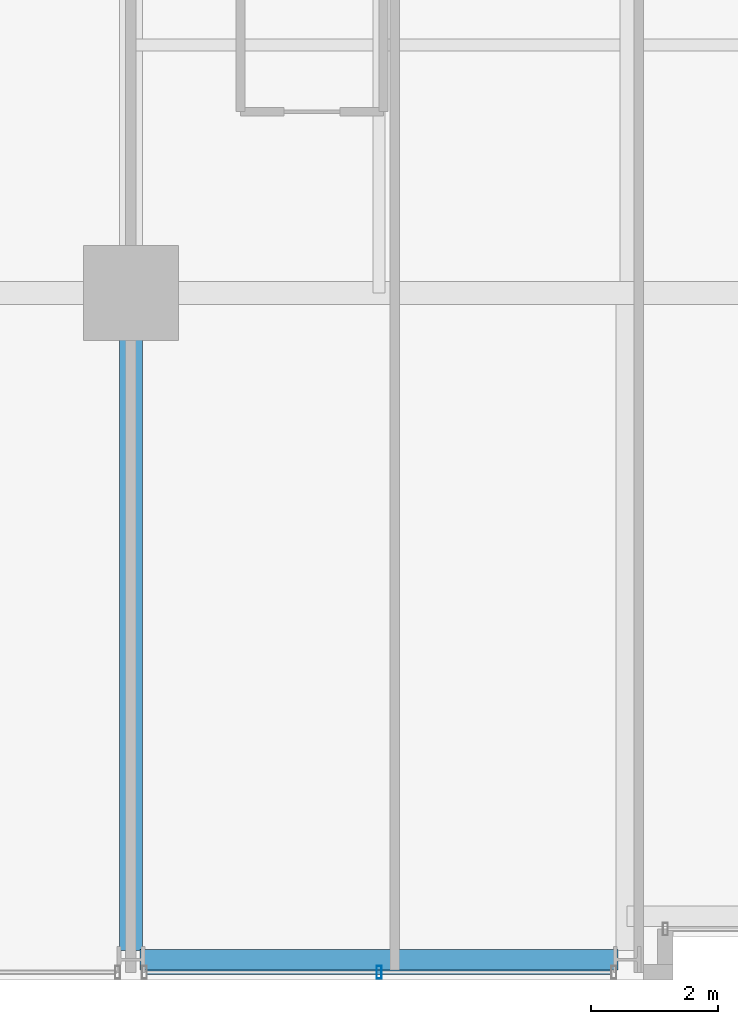
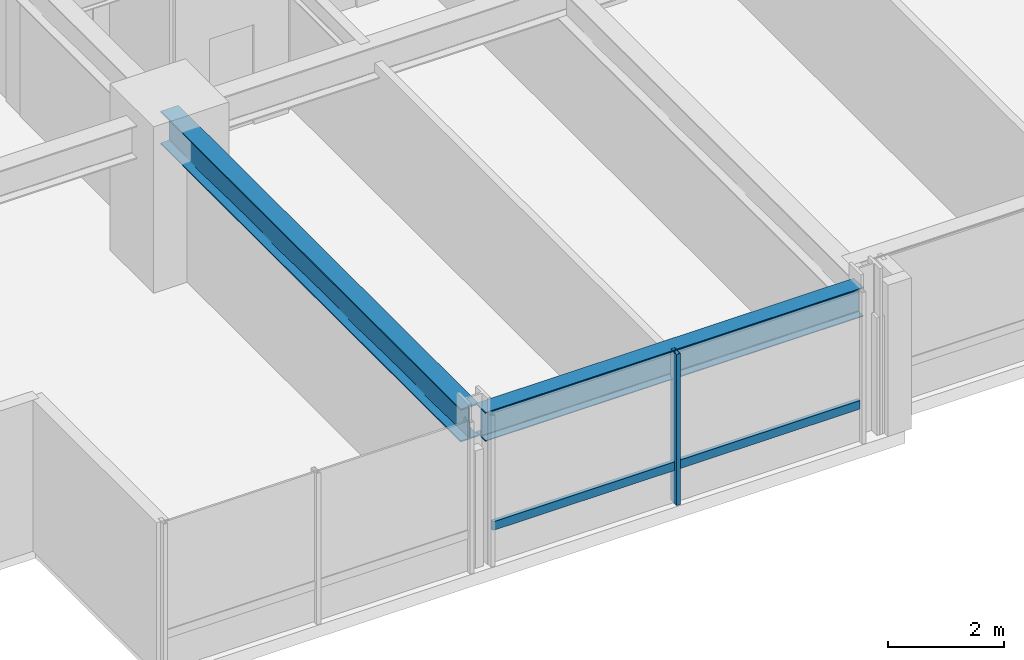
# One storey, part 3 of 35: 2 beams, 2 members, 1 element without a shape of its own.
"""IFC4 building model written with IfcOpenShell, lengths in metres."""

import ifcopenshell
import ifcopenshell.guid

model = None  # the IFC model being written
_history = None  # IfcOwnerHistory: only IFC2X3 demands one
_inside = {}  # id of a spatial element -> (the spatial element, [elements in it])
_under = {}  # id of a project, library or spatial element -> (it, [spatial elements below it])
_declared = {}  # id of a project -> (the project, [libraries it declares])
_typed = {}  # id of a type object -> (the type object, [elements of that type])
_made_of = {}  # id of a material, layer set ... -> (it, [elements and type objects made of it])


def new_model(schema):
    """Start an empty IFC model of exactly this schema.

    Asked for "IFC4X3", IfcOpenShell would pick the latest addendum, in which some entities
    have other attributes; the version numbers below select the first issue.
    IFC2X3 requires an IfcOwnerHistory on every rooted entity: one is made here for all.
    """
    global model, _history
    if schema == "IFC4X3":
        model = ifcopenshell.file(schema_version=(4, 3, 0, 0))
    else:
        model = ifcopenshell.file(schema=schema)
    _inside.clear()
    _under.clear()
    _declared.clear()
    _typed.clear()
    _made_of.clear()
    _history = None
    if model.schema == "IFC2X3":
        org = make("IfcOrganization", Name="unknown")
        user = make(
            "IfcPersonAndOrganization",
            ThePerson=make("IfcPerson", FamilyName="unknown"),
            TheOrganization=org,
        )
        app = make(
            "IfcApplication",
            ApplicationDeveloper=org,
            Version="unknown",
            ApplicationFullName="unknown",
            ApplicationIdentifier="unknown",
        )
        _history = make(
            "IfcOwnerHistory",
            OwningUser=user,
            OwningApplication=app,
            ChangeAction="ADDED",
            CreationDate=0,
        )
    return model


def make(cls, **values):
    """One entity of the class cls with the attributes given. An attribute that is None is left unset."""
    return model.create_entity(
        cls, **{name: value for name, value in values.items() if value is not None}
    )


def rooted(cls, **values):
    """An entity with a GlobalId (a new one), such as an element, a storey or a relation."""
    return make(cls, GlobalId=ifcopenshell.guid.new(), OwnerHistory=_history, **values)


def si_unit(unit_type, name, prefix=None):
    """IfcSIUnit, for example si_unit("LENGTHUNIT", "METRE", prefix="MILLI")."""
    return make("IfcSIUnit", UnitType=unit_type, Prefix=prefix, Name=name)


def assignment(units):
    """IfcUnitAssignment: the units of a project."""
    return None if units is None else make("IfcUnitAssignment", Units=units)


def point(xyz):
    """IfcCartesianPoint."""
    return None if xyz is None else make("IfcCartesianPoint", Coordinates=xyz)


def direction(xyz):
    """IfcDirection."""
    return None if xyz is None else make("IfcDirection", DirectionRatios=xyz)


def frame(location, z_axis=None, x_axis=None):
    """IfcAxis2Placement3D, a coordinate frame: its origin and axes. An axis left out is left unset."""
    return make(
        "IfcAxis2Placement3D",
        Location=point(location),
        Axis=direction(z_axis),
        RefDirection=direction(x_axis),
    )


def frame_2d(location, x_axis=None):
    """IfcAxis2Placement2D, a coordinate frame in the plane: its origin and x axis."""
    return make(
        "IfcAxis2Placement2D", Location=point(location), RefDirection=direction(x_axis)
    )


def origin():
    """The frame at (0, 0, 0) with its axes left unset."""
    return frame((0.0, 0.0, 0.0))


def origin_2d():
    """The frame at (0, 0) in the plane with its x axis left unset."""
    return frame_2d((0.0, 0.0))


def place(relative_to, where):
    """IfcLocalPlacement: puts the frame where relative to a parent placement (None: the world)."""
    return make(
        "IfcLocalPlacement", PlacementRelTo=relative_to, RelativePlacement=where
    )


def context(
    kind, dimensions, precision=None, world=None, true_north=None, identifier=None
):
    """IfcGeometricRepresentationContext, for example the 3D "Model" context."""
    return make(
        "IfcGeometricRepresentationContext",
        ContextIdentifier=identifier,
        ContextType=kind,
        CoordinateSpaceDimension=dimensions,
        Precision=precision,
        WorldCoordinateSystem=world,
        TrueNorth=true_north,
    )


def subcontext(parent, identifier, kind, view, scale=None):
    """IfcGeometricRepresentationSubContext, for example "Body" below "Model"."""
    return make(
        "IfcGeometricRepresentationSubContext",
        ContextIdentifier=identifier,
        ContextType=kind,
        ParentContext=parent,
        TargetScale=scale,
        TargetView=view,
    )


def project(units=None, contexts=None):
    """IfcProject with its units and contexts."""
    return rooted(
        "IfcProject",
        Name="project",
        RepresentationContexts=contexts,
        UnitsInContext=assignment(units),
    )


def spatial(cls, under=None, at=None, **own):
    """A site, building, storey or space (cls), placed at a placement, below another one or the project."""
    s = rooted(cls, ObjectPlacement=at, **own)
    if under is not None:
        _under.setdefault(under.id(), (under, []))[1].append(s)
    return s


def profile(cls, at=None, kind="AREA", **sizes):
    """A parametric profile (cls). Its sizes go by their IFC names, for example OverallWidth=200.0."""
    return make(cls, ProfileType=kind, Position=at, **sizes)


def hollow_rectangle(**sizes):
    """IfcRectangleHollowProfileDef."""
    return profile("IfcRectangleHollowProfileDef", **sizes)


def i_section(**sizes):
    """IfcIShapeProfileDef."""
    return profile("IfcIShapeProfileDef", **sizes)


def extrude(swept, where, along, depth):
    """IfcExtrudedAreaSolid: the profile swept, set in the frame where, extruded along a direction by depth."""
    return make(
        "IfcExtrudedAreaSolid",
        SweptArea=swept,
        Position=where,
        ExtrudedDirection=direction(along),
        Depth=depth,
    )


def shape(context_of_items, identifier, shape_type, items):
    """IfcShapeRepresentation: the items that make up one representation, for example the "Body"."""
    return make(
        "IfcShapeRepresentation",
        ContextOfItems=context_of_items,
        RepresentationIdentifier=identifier,
        RepresentationType=shape_type,
        Items=items,
    )


def material(Name=None, Category=None):
    """IfcMaterial."""
    return make("IfcMaterial", Name=Name, Category=Category)


def layer(
    of_material, thickness, ventilated=None, Name=None, Category=None, Priority=None
):
    """IfcMaterialLayer: one layer of a wall or slab, of a material (None: an air gap)."""
    return make(
        "IfcMaterialLayer",
        Material=of_material,
        LayerThickness=thickness,
        IsVentilated=ventilated,
        Name=Name,
        Category=Category,
        Priority=Priority,
    )


def layer_set(layers, Name=None):
    """IfcMaterialLayerSet."""
    return make("IfcMaterialLayerSet", MaterialLayers=layers, LayerSetName=Name)


def material_profile(
    of_material, cross_section, Name=None, Category=None, Priority=None
):
    """IfcMaterialProfile: a cross section and its material."""
    return make(
        "IfcMaterialProfile",
        Name=Name,
        Material=of_material,
        Profile=cross_section,
        Priority=Priority,
        Category=Category,
    )


def profile_set(profiles, Name=None, composite=None):
    """IfcMaterialProfileSet."""
    return make(
        "IfcMaterialProfileSet",
        Name=Name,
        MaterialProfiles=profiles,
        CompositeProfile=composite,
    )


def made_of(thing, what):
    """Note that an element or type object is made of a material, layer set ...; save() writes the relation."""
    if what is not None:
        _made_of.setdefault(what.id(), (what, []))[1].append(thing)
    return thing


def type_object(cls, material=None, **own):
    """A type object (cls), such as IfcWallType, which elements share."""
    return made_of(rooted(cls, **own), material)


def element(
    cls,
    number,
    at=None,
    inside=None,
    cuts=None,
    type_object=None,
    material=None,
    context=None,
    identifier="Body",
    shape_type=None,
    held_by="IfcProductDefinitionShape",
    body=None,
    shapes=None,
    **own,
):
    """One element of the class cls, such as IfcWall. Its Tag is "e" and its number.

    at: its placement. inside: the storey or other place that contains it. cuts: it is an
    opening in that element (IfcRelVoidsElement). A single representation is given by context,
    identifier, shape_type and body (its items); several are given by shapes. held_by: the class
    of the entity that holds the representations. save() writes the other relations.
    """
    e = rooted(cls, Tag="e%d" % number, ObjectPlacement=at, **own)
    if body is not None:
        shapes = [shape(context, identifier, shape_type, body)]
    if shapes is not None:
        e.Representation = make(held_by, Representations=shapes)
    if inside is not None:
        _inside.setdefault(inside.id(), (inside, []))[1].append(e)
    if cuts is not None:
        rooted(
            "IfcRelVoidsElement", RelatingBuildingElement=cuts, RelatedOpeningElement=e
        )
    if type_object is not None:
        _typed.setdefault(type_object.id(), (type_object, []))[1].append(e)
    return made_of(e, material)


def aggregate(whole, parts):
    """IfcRelAggregates: a whole, such as a stair, and the parts it consists of."""
    return rooted("IfcRelAggregates", RelatingObject=whole, RelatedObjects=parts)


def save(model, path):
    """Write the relations noted so far, then the file.

    IfcRelAggregates (storeys below a building ...), IfcRelContainedInSpatialStructure (elements
    in a storey), IfcRelDefinesByType, IfcRelAssociatesMaterial and IfcRelDeclares: one each for
    every whole, place, type object, material and project.
    """
    for whole, parts in _under.values():
        aggregate(whole, parts)
    for where, things in _inside.values():
        rooted(
            "IfcRelContainedInSpatialStructure",
            RelatedElements=things,
            RelatingStructure=where,
        )
    for kind, things in _typed.values():
        rooted("IfcRelDefinesByType", RelatedObjects=things, RelatingType=kind)
    for what, things in _made_of.values():
        rooted("IfcRelAssociatesMaterial", RelatedObjects=things, RelatingMaterial=what)
    for by, libraries in _declared.values():
        rooted("IfcRelDeclares", RelatingContext=by, RelatedDefinitions=libraries)
    model.write(path)


model = new_model("IFC4")

# Units and contexts
model_context = context("Model", 3, precision=1e-05, world=origin(), true_north=direction((0.0, 1.0)))
body_context = subcontext(model_context, "Body", "Model", "MODEL_VIEW")
ifc_project = project(units=[si_unit("LENGTHUNIT", "METRE"), si_unit("AREAUNIT", "SQUARE_METRE"), si_unit("VOLUMEUNIT", "CUBIC_METRE"), si_unit("PLANEANGLEUNIT", "RADIAN"), si_unit("MASSUNIT", "GRAM", prefix="KILO")], contexts=[model_context])

# Site, building, storey
site_placement = place(None, origin())
site = spatial("IfcSite", under=ifc_project, at=site_placement, CompositionType="ELEMENT")
building_placement = place(site_placement, origin())
building = spatial("IfcBuilding", under=site, at=building_placement, Name="Drelvath Grand Hotel", CompositionType="ELEMENT")
storey_placement = place(building_placement, frame((0.0, 0.0, 137.300048828125)))
storey = spatial("IfcBuildingStorey", under=building, at=storey_placement, Name="L35", CompositionType="ELEMENT", Elevation=137.300048828125)

# Curtain wall, members
ifc_material_1 = material(Name="Champagne Bronze Anodised Aluminium Frame", Category="aluminium")
ifc_layer = layer(ifc_material_1, 0.199951171875)
ifc_layer_set = layer_set([ifc_layer], Name="Champagne Bronze Anodised Aluminium Frame")
curtain_wall_type = type_object("IfcCurtainWallType", Name="Stick Curtain Wall CW-03 Champagne Bronze Mid-Rise", PredefinedType="NOTDEFINED", material=ifc_layer_set)
curtain_wall_placement = place(storey_placement, origin())
curtain_wall = element("IfcCurtainWall", 1, at=curtain_wall_placement, inside=storey, type_object=curtain_wall_type, Name="L35 CW-03 Curtain Wall CW03-L35-SW2", PredefinedType="NOTDEFINED")
ifc_material_profile_1 = material_profile(ifc_material_1, hollow_rectangle(XDim=0.074951171875, YDim=0.179931640625, WallThickness=0.0048828125, at=origin_2d()), Name="HSS180X75X5")
ifc_profile_set_1 = profile_set([ifc_material_profile_1], Name="Champagne Bronze Anodised Aluminium Frame")
member_type_1 = type_object("IfcMemberType", Name="Curtain Wall Horizontal Transom CW-03 HSS180X75X5", PredefinedType="USERDEFINED", material=ifc_profile_set_1)
member_1_placement = place(storey_placement, frame((-8.6494140625, 0.1201171875, 0.794921875), z_axis=(-1.0, 0.0, 0.0), x_axis=(0.0, -1.0, 0.0)))
member_1 = element("IfcMember", 2, at=member_1_placement, type_object=member_type_1, Name="CW03-L35-SW2 Sill Transom", ObjectType="TRANSOM", PredefinedType="USERDEFINED", context=body_context, shape_type="SweptSolid", body=[
    extrude(hollow_rectangle(XDim=0.074951171875, YDim=0.179931640625, WallThickness=0.0048828125, at=origin_2d()), origin(), (0.0, 0.0, 1.0), 7.30126953125),
])
ifc_material_profile_2 = material_profile(ifc_material_1, hollow_rectangle(XDim=0.080078125, YDim=0.199951171875, WallThickness=0.0048828125, at=origin_2d()), Name="HSS200X80X5")
ifc_profile_set_2 = profile_set([ifc_material_profile_2], Name="Champagne Bronze Anodised Aluminium Frame")
member_type_2 = type_object("IfcMemberType", Name="Curtain Wall Vertical Mullion CW-03 HSS200X80X5", PredefinedType="MULLION", material=ifc_profile_set_2)
member_2_placement = place(storey_placement, frame((-12.300048828125, 0.1201171875, 0.0), z_axis=(0.0, 0.0, 1.0), x_axis=(1.0, 0.0, 0.0)))
member_2 = element("IfcMember", 3, at=member_2_placement, type_object=member_type_2, Name="CW03-L35-SW2 Mullion 2", PredefinedType="MULLION", context=body_context, shape_type="SweptSolid", body=[
    extrude(hollow_rectangle(XDim=0.080078125, YDim=0.199951171875, WallThickness=0.0048828125, at=origin_2d()), origin(), (0.0, 0.0, 1.0), 3.179931640625),
])
aggregate(curtain_wall, [member_2, member_1])

# Beams
ifc_material_2 = material(Name="Steel ASTM A992 Gr 50", Category="steel")
ifc_material_profile_3 = material_profile(ifc_material_2, i_section(OverallWidth=0.323974609375, OverallDepth=0.611083984375, WebThickness=0.0126953125, FlangeThickness=0.01904296875, FilletRadius=0.02197265625, at=origin_2d()), Name="W24X104")
ifc_profile_set_3 = profile_set([ifc_material_profile_3], Name="Steel ASTM A992 Gr 50")
beam_type_1 = type_object("IfcBeamType", Name="Perimeter Spandrel Beam W24X104", PredefinedType="SPANDREL", material=ifc_profile_set_3)
beam_1_placement = place(storey_placement, frame((-16.06005859375, 0.320068359375, 2.874267578125), z_axis=(1.0, 0.0, 0.0), x_axis=(0.0, 1.0, 0.0)))
element("IfcBeam", 4, at=beam_1_placement, inside=storey, type_object=beam_type_1, Name="L35 Spandrel South W", PredefinedType="SPANDREL", context=body_context, shape_type="SweptSolid", body=[
    extrude(i_section(OverallWidth=0.323974609375, OverallDepth=0.611083984375, WebThickness=0.0126953125, FlangeThickness=0.01904296875, FilletRadius=0.02197265625, at=origin_2d()), origin(), (0.0, 0.0, 1.0), 7.52001953125),
])
ifc_material_profile_4 = material_profile(ifc_material_2, i_section(OverallWidth=0.354736328125, OverallDepth=0.695556640625, WebThickness=0.015380859375, FlangeThickness=0.025146484375, FilletRadius=0.02392578125, at=origin_2d()), Name="W27X146")
ifc_profile_set_4 = profile_set([ifc_material_profile_4], Name="Steel ASTM A992 Gr 50")
beam_type_2 = type_object("IfcBeamType", Name="Primary Floor Girder W27X146", PredefinedType="BEAM", material=ifc_profile_set_4)
beam_2_placement = place(storey_placement, frame((-16.199951171875, 0.4599609375, 2.83203125), z_axis=(0.0, 1.0, 0.0), x_axis=(-1.0, 0.0, 0.0)))
element("IfcBeam", 5, at=beam_2_placement, inside=storey, type_object=beam_type_2, Name="L35 South Grid Girder 3", PredefinedType="BEAM", context=body_context, shape_type="SweptSolid", body=[
    extrude(i_section(OverallWidth=0.354736328125, OverallDepth=0.695556640625, WebThickness=0.015380859375, FlangeThickness=0.025146484375, FilletRadius=0.02392578125, at=origin_2d()), origin(), (0.0, 0.0, 1.0), 10.340087890625),
])

save(model, "model.ifc")
